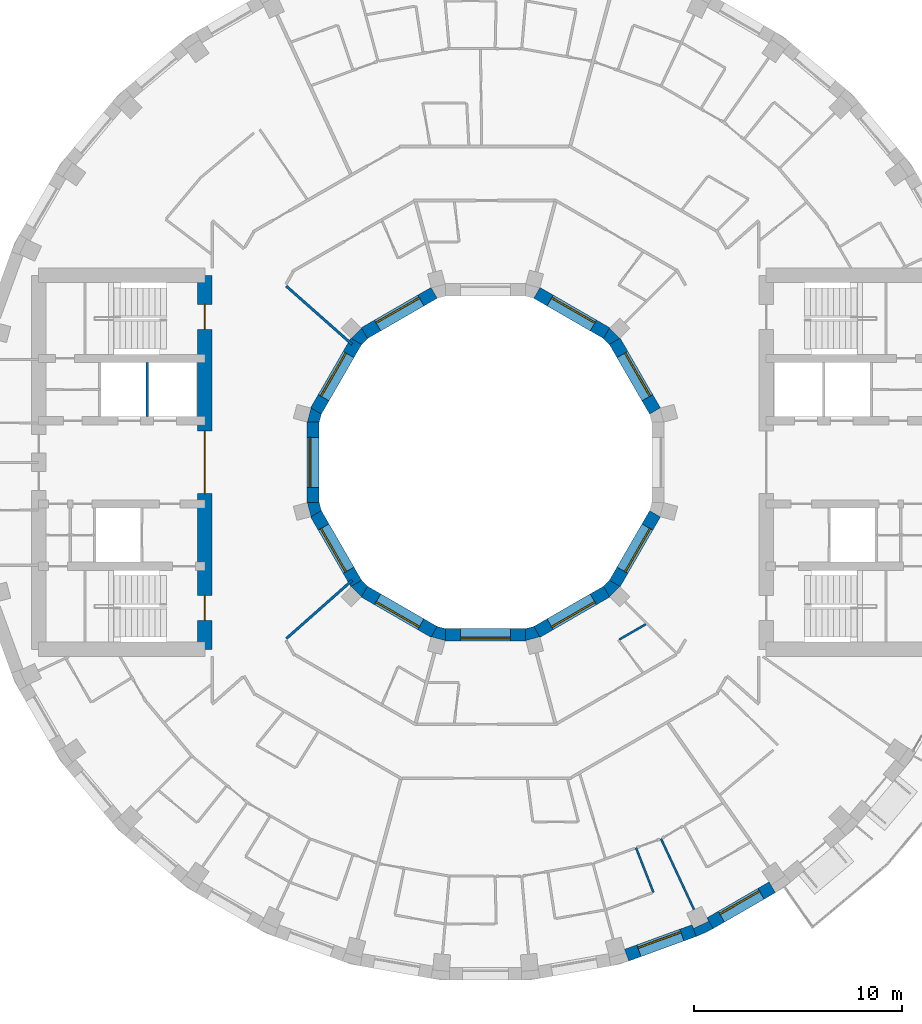
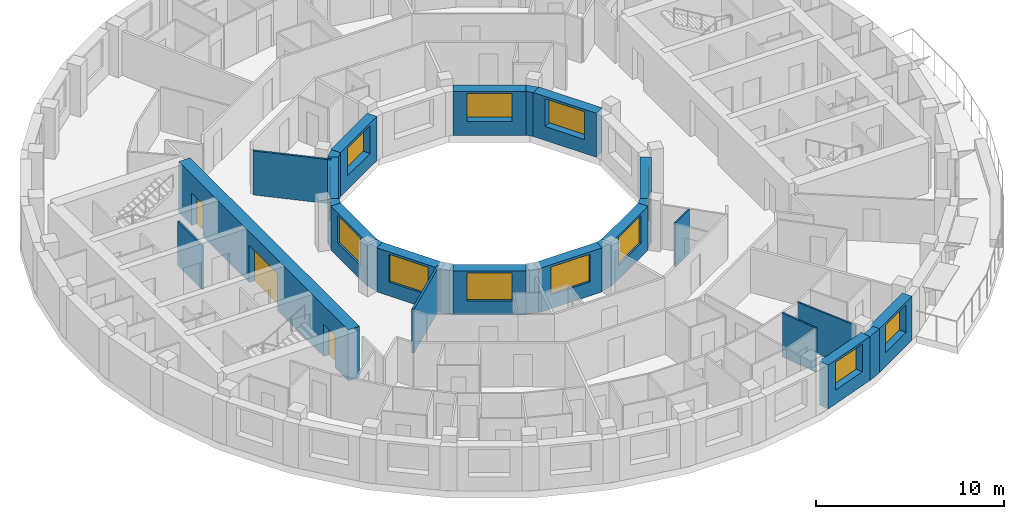
# One storey, part 7 of 14: 28 walls, 12 windows, 3 doors, 15 openings.
"""IFC4 building model written with IfcOpenShell, lengths in metres."""

from ifc_helpers import new_model, si_unit, direction, frame, frame_2d, origin, place, context, subcontext, project, spatial, polyline, rectangle, outline, extrude, material, layer, layer_set, type_object, element, fill, save


model = new_model("IFC4")

# Units and contexts
model_context = context("Model", 3, precision=1e-05, world=origin(), true_north=direction((0.0, 1.0)))
body_context = subcontext(model_context, "Body", "Model", "MODEL_VIEW")
ifc_project = project(units=[si_unit("LENGTHUNIT", "METRE"), si_unit("AREAUNIT", "SQUARE_METRE"), si_unit("VOLUMEUNIT", "CUBIC_METRE"), si_unit("PLANEANGLEUNIT", "RADIAN"), si_unit("MASSUNIT", "GRAM", prefix="KILO")], contexts=[model_context])

# Site, building, storey
site_placement = place(None, origin())
site = spatial("IfcSite", under=ifc_project, at=site_placement, CompositionType="ELEMENT")
building_placement = place(site_placement, origin())
building = spatial("IfcBuilding", under=site, at=building_placement, Name="Saqina Gate Tower", CompositionType="ELEMENT")
storey_placement = place(building_placement, frame((0.0, 0.0, 170.699951171875)))
storey = spatial("IfcBuildingStorey", under=building, at=storey_placement, Name="L48", CompositionType="ELEMENT", Elevation=170.699951171875)

# Wall
ifc_material_1 = material(Name="Brick masonry (buff)", Category="masonry")
wall_type_1 = type_object("IfcWallType", Name="BRICK PIER COPING BUFF", PredefinedType="SOLIDWALL", material=ifc_material_1)
wall_1_placement = place(storey_placement, origin())
element("IfcWall", 1, at=wall_1_placement, inside=storey, type_object=wall_type_1, Name="Pier cap L48 column 30", PredefinedType="SOLIDWALL", context=body_context, shape_type="SweptSolid", body=[
    extrude(outline(polyline([(10.958740234375, -22.4306640625), (10.65869140625, -21.9111328125), (10.73779296875, -22.080810546875), (10.0126953125, -22.4189453125), (9.93359375, -22.249267578125), (10.138916015625, -22.81298828125), (10.958740234375, -22.4306640625)])), origin(), (0.0, 0.0, 1.0), 2.85009765625),
])

# Wall, opening, window
ifc_material_2 = material(Name="Brick masonry (buff)", Category="masonry")
ifc_layer_1 = layer(ifc_material_2, 0.60009765625)
ifc_layer_set_1 = layer_set([ifc_layer_1], Name="FW-BRICK-BUFF")
wall_type_2 = type_object("IfcWallType", Name="FW-BRICK-BUFF", PredefinedType="SOLIDWALL", material=ifc_layer_set_1)
wall_2_placement = place(storey_placement, frame((6.79443359375, -23.7109375, 0.0), z_axis=(0.0, 0.0, 1.0), x_axis=(0.93968799822, 0.342032843455, 0.0)))
wall_2 = element("IfcWall", 2, at=wall_2_placement, inside=storey, type_object=wall_type_2, Name="Facade wall L48 facet 29", PredefinedType="SOLIDWALL", context=body_context, shape_type="SweptSolid", body=[
    extrude(rectangle(XDim=3.44970703125, YDim=0.60009765625, at=frame_2d((1.724853515625, 0.0))), origin(), (0.0, 0.0, 1.0), 2.85009765625),
])
opening_1_placement = place(wall_2_placement, frame((0.625, 0.0, 0.89990234375)))
opening_1 = element("IfcOpeningElement", 3, at=opening_1_placement, cuts=wall_2, Name="Opening G14-W22", PredefinedType="OPENING", context=body_context, shape_type="SweptSolid", body=[
    extrude(rectangle(XDim=2.199951171875, YDim=1.800048828125, at=frame_2d((1.10009765625, 0.89990234375))), frame((0.0, 0.31201171875, 0.0), z_axis=(0.0, -1.0, 0.0), x_axis=(1.0, 0.0, 0.0)), (0.0, 0.0, 1.0), 0.6240234375),
])
ifc_material_3 = material(Name="Aluminium glazing", Category="aluminium")
window_type_1 = type_object("IfcWindowType", Name="WN-C", PartitioningType="SINGLE_PANEL", PredefinedType="WINDOW", material=ifc_material_3)
window_1_placement = place(opening_1_placement, origin())
window_1 = element("IfcWindow", 4, at=window_1_placement, inside=storey, type_object=window_type_1, Name="Window L48 facet 29", OverallHeight=1.800048828125, OverallWidth=2.199951171875, PartitioningType="SINGLE_PANEL", PredefinedType="WINDOW", context=body_context, shape_type="SweptSolid", body=[
    extrude(rectangle(XDim=2.199951171875, YDim=1.800048828125, at=frame_2d((1.10009765625, 0.89990234375))), frame((0.0, 0.179931640625, 0.0), z_axis=(0.0, -1.0, 0.0), x_axis=(1.0, 0.0, 0.0)), (0.0, 0.0, 1.0), 0.06005859375),
])
fill(opening_1, window_1)

wall_3_placement = place(storey_placement, frame((10.80859375, -22.1708984375, 0.0), z_axis=(0.0, 0.0, 1.0), x_axis=(0.86602648383, 0.499998129301, 0.0)))
wall_3 = element("IfcWall", 5, at=wall_3_placement, inside=storey, type_object=wall_type_2, Name="Facade wall L48 facet 30", PredefinedType="SOLIDWALL", context=body_context, shape_type="SweptSolid", body=[
    extrude(rectangle(XDim=3.44970703125, YDim=0.60009765625, at=frame_2d((1.724853515625, 0.0))), origin(), (0.0, 0.0, 1.0), 2.85009765625),
])
opening_2_placement = place(wall_3_placement, frame((0.625, 0.0, 0.89990234375)))
opening_2 = element("IfcOpeningElement", 6, at=opening_2_placement, cuts=wall_3, Name="Opening G14-W23", PredefinedType="OPENING", context=body_context, shape_type="SweptSolid", body=[
    extrude(rectangle(XDim=2.199951171875, YDim=1.800048828125, at=frame_2d((1.10009765625, 0.89990234375))), frame((0.0, 0.31201171875, 0.0), z_axis=(0.0, -1.0, 0.0), x_axis=(1.0, 0.0, 0.0)), (0.0, 0.0, 1.0), 0.6240234375),
])
window_2_placement = place(opening_2_placement, origin())
window_2 = element("IfcWindow", 7, at=window_2_placement, inside=storey, type_object=window_type_1, Name="Window L48 facet 30", OverallHeight=1.800048828125, OverallWidth=2.199951171875, PartitioningType="SINGLE_PANEL", PredefinedType="WINDOW", context=body_context, shape_type="SweptSolid", body=[
    extrude(rectangle(XDim=2.199951171875, YDim=1.800048828125, at=frame_2d((1.10009765625, 0.89990234375))), frame((0.0, 0.179931640625, 0.0), z_axis=(0.0, -1.0, 0.0), x_axis=(1.0, 0.0, 0.0)), (0.0, 0.0, 1.0), 0.06005859375),
])
fill(opening_2, window_2)

ifc_material_4 = material(Name="Glazed ceramic tile", Category="ceramic")
ifc_layer_2 = layer(ifc_material_4, 0.60009765625)
ifc_layer_set_2 = layer_set([ifc_layer_2], Name="IW-TILE")
wall_type_3 = type_object("IfcWallType", Name="IW-TILE", PredefinedType="SOLIDWALL", material=ifc_layer_set_2)
wall_4_placement = place(storey_placement, frame((8.155517578125, 2.474365234375, 0.0), z_axis=(0.0, 0.0, 1.0), x_axis=(-0.500033728941, 0.866005929495, 0.0)))
wall_4 = element("IfcWall", 8, at=wall_4_placement, inside=storey, type_object=wall_type_3, Name="Well wall L48 facet 1", PredefinedType="SOLIDWALL", context=body_context, shape_type="SweptSolid", body=[
    extrude(rectangle(XDim=3.869873046875, YDim=0.60009765625, at=frame_2d((1.93505859375, 0.0))), origin(), (0.0, 0.0, 1.0), 2.85009765625),
])
opening_3_placement = place(wall_4_placement, frame((0.73486328125, 0.0, 0.89990234375)))
opening_3 = element("IfcOpeningElement", 9, at=opening_3_placement, cuts=wall_4, Name="Opening G14-W24", PredefinedType="OPENING", context=body_context, shape_type="SweptSolid", body=[
    extrude(rectangle(XDim=2.39990234375, YDim=1.800048828125, at=frame_2d((1.199951171875, 0.89990234375))), frame((0.0, 0.31201171875, 0.0), z_axis=(0.0, -1.0, 0.0), x_axis=(1.0, 0.0, 0.0)), (0.0, 0.0, 1.0), 0.6240234375),
])
ifc_material_5 = material(Name="Aluminium glazing", Category="aluminium")
window_type_2 = type_object("IfcWindowType", Name="WN-W", PartitioningType="SINGLE_PANEL", PredefinedType="WINDOW", material=ifc_material_5)
window_3_placement = place(opening_3_placement, origin())
window_3 = element("IfcWindow", 10, at=window_3_placement, inside=storey, type_object=window_type_2, Name="Well window L48 facet 1", OverallHeight=1.800048828125, OverallWidth=2.39990234375, PartitioningType="SINGLE_PANEL", PredefinedType="WINDOW", context=body_context, shape_type="SweptSolid", body=[
    extrude(rectangle(XDim=2.39990234375, YDim=1.800048828125, at=frame_2d((1.199951171875, 0.89990234375))), frame((0.0, -0.119873046875, 0.0), z_axis=(0.0, -1.0, 0.0), x_axis=(1.0, 0.0, 0.0)), (0.0, 0.0, 1.0), 0.06005859375),
])
fill(opening_3, window_3)

wall_5_placement = place(storey_placement, frame((5.82568359375, 6.220458984375, 0.0), z_axis=(0.0, 0.0, 1.0), x_axis=(-0.866005929495, 0.500033728941, 0.0)))
wall_5 = element("IfcWall", 11, at=wall_5_placement, inside=storey, type_object=wall_type_3, Name="Well wall L48 facet 2", PredefinedType="SOLIDWALL", context=body_context, shape_type="SweptSolid", body=[
    extrude(rectangle(XDim=3.869873046875, YDim=0.60009765625, at=frame_2d((1.93505859375, 0.0))), origin(), (0.0, 0.0, 1.0), 2.85009765625),
])
opening_4_placement = place(wall_5_placement, frame((0.73486328125, 0.0, 0.89990234375)))
opening_4 = element("IfcOpeningElement", 12, at=opening_4_placement, cuts=wall_5, Name="Opening G14-W25", PredefinedType="OPENING", context=body_context, shape_type="SweptSolid", body=[
    extrude(rectangle(XDim=2.39990234375, YDim=1.800048828125, at=frame_2d((1.199951171875, 0.89990234375))), frame((0.0, 0.31201171875, 0.0), z_axis=(0.0, -1.0, 0.0), x_axis=(1.0, 0.0, 0.0)), (0.0, 0.0, 1.0), 0.6240234375),
])
window_4_placement = place(opening_4_placement, origin())
window_4 = element("IfcWindow", 13, at=window_4_placement, inside=storey, type_object=window_type_2, Name="Well window L48 facet 2", OverallHeight=1.800048828125, OverallWidth=2.39990234375, PartitioningType="SINGLE_PANEL", PredefinedType="WINDOW", context=body_context, shape_type="SweptSolid", body=[
    extrude(rectangle(XDim=2.39990234375, YDim=1.800048828125, at=frame_2d((1.199951171875, 0.89990234375))), frame((0.0, -0.119873046875, 0.0), z_axis=(0.0, -1.0, 0.0), x_axis=(1.0, 0.0, 0.0)), (0.0, 0.0, 1.0), 0.06005859375),
])
fill(opening_4, window_4)

wall_6_placement = place(storey_placement, frame((-2.474365234375, 8.155517578125, 0.0), z_axis=(0.0, 0.0, 1.0), x_axis=(-0.866005929495, -0.500033728941, 0.0)))
wall_6 = element("IfcWall", 14, at=wall_6_placement, inside=storey, type_object=wall_type_3, Name="Well wall L48 facet 4", PredefinedType="SOLIDWALL", context=body_context, shape_type="SweptSolid", body=[
    extrude(rectangle(XDim=3.869873046875, YDim=0.60009765625, at=frame_2d((1.93505859375, 0.0))), origin(), (0.0, 0.0, 1.0), 2.85009765625),
])
opening_5_placement = place(wall_6_placement, frame((0.73486328125, 0.0, 0.89990234375)))
opening_5 = element("IfcOpeningElement", 15, at=opening_5_placement, cuts=wall_6, Name="Opening G14-W27", PredefinedType="OPENING", context=body_context, shape_type="SweptSolid", body=[
    extrude(rectangle(XDim=2.39990234375, YDim=1.800048828125, at=frame_2d((1.199951171875, 0.89990234375))), frame((0.0, 0.31201171875, 0.0), z_axis=(0.0, -1.0, 0.0), x_axis=(1.0, 0.0, 0.0)), (0.0, 0.0, 1.0), 0.6240234375),
])
window_5_placement = place(opening_5_placement, origin())
window_5 = element("IfcWindow", 16, at=window_5_placement, inside=storey, type_object=window_type_2, Name="Well window L48 facet 4", OverallHeight=1.800048828125, OverallWidth=2.39990234375, PartitioningType="SINGLE_PANEL", PredefinedType="WINDOW", context=body_context, shape_type="SweptSolid", body=[
    extrude(rectangle(XDim=2.39990234375, YDim=1.800048828125, at=frame_2d((1.199951171875, 0.89990234375))), frame((0.0, -0.119873046875, 0.0), z_axis=(0.0, -1.0, 0.0), x_axis=(1.0, 0.0, 0.0)), (0.0, 0.0, 1.0), 0.06005859375),
])
fill(opening_5, window_5)

wall_7_placement = place(storey_placement, frame((-6.220458984375, 5.82568359375, 0.0), z_axis=(0.0, 0.0, 1.0), x_axis=(-0.500033728941, -0.866005929495, 0.0)))
wall_7 = element("IfcWall", 17, at=wall_7_placement, inside=storey, type_object=wall_type_3, Name="Well wall L48 facet 5", PredefinedType="SOLIDWALL", context=body_context, shape_type="SweptSolid", body=[
    extrude(rectangle(XDim=3.869873046875, YDim=0.60009765625, at=frame_2d((1.93505859375, 0.0))), origin(), (0.0, 0.0, 1.0), 2.85009765625),
])
opening_6_placement = place(wall_7_placement, frame((0.73486328125, 0.0, 0.89990234375)))
opening_6 = element("IfcOpeningElement", 18, at=opening_6_placement, cuts=wall_7, Name="Opening G14-W28", PredefinedType="OPENING", context=body_context, shape_type="SweptSolid", body=[
    extrude(rectangle(XDim=2.39990234375, YDim=1.800048828125, at=frame_2d((1.199951171875, 0.89990234375))), frame((0.0, 0.31201171875, 0.0), z_axis=(0.0, -1.0, 0.0), x_axis=(1.0, 0.0, 0.0)), (0.0, 0.0, 1.0), 0.6240234375),
])
window_6_placement = place(opening_6_placement, origin())
window_6 = element("IfcWindow", 19, at=window_6_placement, inside=storey, type_object=window_type_2, Name="Well window L48 facet 5", OverallHeight=1.800048828125, OverallWidth=2.39990234375, PartitioningType="SINGLE_PANEL", PredefinedType="WINDOW", context=body_context, shape_type="SweptSolid", body=[
    extrude(rectangle(XDim=2.39990234375, YDim=1.800048828125, at=frame_2d((1.199951171875, 0.89990234375))), frame((0.0, -0.119873046875, 0.0), z_axis=(0.0, -1.0, 0.0), x_axis=(1.0, 0.0, 0.0)), (0.0, 0.0, 1.0), 0.06005859375),
])
fill(opening_6, window_6)

wall_8_placement = place(storey_placement, frame((-8.300048828125, 1.934814453125, 0.0), z_axis=(0.0, 0.0, 1.0), x_axis=(0.0, -1.0, 0.0)))
wall_8 = element("IfcWall", 20, at=wall_8_placement, inside=storey, type_object=wall_type_3, Name="Well wall L48 facet 6", PredefinedType="SOLIDWALL", context=body_context, shape_type="SweptSolid", body=[
    extrude(rectangle(XDim=3.86962890625, YDim=0.60009765625, at=frame_2d((1.934814453125, 0.0))), origin(), (0.0, 0.0, 1.0), 2.85009765625),
])
opening_7_placement = place(wall_8_placement, frame((0.73486328125, 0.0, 0.89990234375)))
opening_7 = element("IfcOpeningElement", 21, at=opening_7_placement, cuts=wall_8, Name="Opening G14-W29", PredefinedType="OPENING", context=body_context, shape_type="SweptSolid", body=[
    extrude(rectangle(XDim=2.39990234375, YDim=1.800048828125, at=frame_2d((1.199951171875, 0.89990234375))), frame((0.0, 0.31201171875, 0.0), z_axis=(0.0, -1.0, 0.0), x_axis=(1.0, 0.0, 0.0)), (0.0, 0.0, 1.0), 0.6240234375),
])
window_7_placement = place(opening_7_placement, origin())
window_7 = element("IfcWindow", 22, at=window_7_placement, inside=storey, type_object=window_type_2, Name="Well window L48 facet 6", OverallHeight=1.800048828125, OverallWidth=2.39990234375, PartitioningType="SINGLE_PANEL", PredefinedType="WINDOW", context=body_context, shape_type="SweptSolid", body=[
    extrude(rectangle(XDim=2.39990234375, YDim=1.800048828125, at=frame_2d((1.199951171875, 0.89990234375))), frame((0.0, -0.119873046875, 0.0), z_axis=(0.0, -1.0, 0.0), x_axis=(1.0, 0.0, 0.0)), (0.0, 0.0, 1.0), 0.06005859375),
])
fill(opening_7, window_7)

wall_9_placement = place(storey_placement, frame((-8.155517578125, -2.474365234375, 0.0), z_axis=(0.0, 0.0, 1.0), x_axis=(0.500033728941, -0.866005929495, 0.0)))
wall_9 = element("IfcWall", 23, at=wall_9_placement, inside=storey, type_object=wall_type_3, Name="Well wall L48 facet 7", PredefinedType="SOLIDWALL", context=body_context, shape_type="SweptSolid", body=[
    extrude(rectangle(XDim=3.869873046875, YDim=0.60009765625, at=frame_2d((1.93505859375, 0.0))), origin(), (0.0, 0.0, 1.0), 2.85009765625),
])
opening_8_placement = place(wall_9_placement, frame((0.73486328125, 0.0, 0.89990234375)))
opening_8 = element("IfcOpeningElement", 24, at=opening_8_placement, cuts=wall_9, Name="Opening G14-W30", PredefinedType="OPENING", context=body_context, shape_type="SweptSolid", body=[
    extrude(rectangle(XDim=2.39990234375, YDim=1.800048828125, at=frame_2d((1.199951171875, 0.89990234375))), frame((0.0, 0.31201171875, 0.0), z_axis=(0.0, -1.0, 0.0), x_axis=(1.0, 0.0, 0.0)), (0.0, 0.0, 1.0), 0.6240234375),
])
window_8_placement = place(opening_8_placement, origin())
window_8 = element("IfcWindow", 25, at=window_8_placement, inside=storey, type_object=window_type_2, Name="Well window L48 facet 7", OverallHeight=1.800048828125, OverallWidth=2.39990234375, PartitioningType="SINGLE_PANEL", PredefinedType="WINDOW", context=body_context, shape_type="SweptSolid", body=[
    extrude(rectangle(XDim=2.39990234375, YDim=1.800048828125, at=frame_2d((1.199951171875, 0.89990234375))), frame((0.0, -0.119873046875, 0.0), z_axis=(0.0, -1.0, 0.0), x_axis=(1.0, 0.0, 0.0)), (0.0, 0.0, 1.0), 0.06005859375),
])
fill(opening_8, window_8)

wall_10_placement = place(storey_placement, frame((-5.82568359375, -6.220458984375, 0.0), z_axis=(0.0, 0.0, 1.0), x_axis=(0.866005929495, -0.500033728941, 0.0)))
wall_10 = element("IfcWall", 26, at=wall_10_placement, inside=storey, type_object=wall_type_3, Name="Well wall L48 facet 8", PredefinedType="SOLIDWALL", context=body_context, shape_type="SweptSolid", body=[
    extrude(rectangle(XDim=3.869873046875, YDim=0.60009765625, at=frame_2d((1.93505859375, 0.0))), origin(), (0.0, 0.0, 1.0), 2.85009765625),
])
opening_9_placement = place(wall_10_placement, frame((0.73486328125, 0.0, 0.89990234375)))
opening_9 = element("IfcOpeningElement", 27, at=opening_9_placement, cuts=wall_10, Name="Opening G14-W31", PredefinedType="OPENING", context=body_context, shape_type="SweptSolid", body=[
    extrude(rectangle(XDim=2.39990234375, YDim=1.800048828125, at=frame_2d((1.199951171875, 0.89990234375))), frame((0.0, 0.31201171875, 0.0), z_axis=(0.0, -1.0, 0.0), x_axis=(1.0, 0.0, 0.0)), (0.0, 0.0, 1.0), 0.6240234375),
])
window_9_placement = place(opening_9_placement, origin())
window_9 = element("IfcWindow", 28, at=window_9_placement, inside=storey, type_object=window_type_2, Name="Well window L48 facet 8", OverallHeight=1.800048828125, OverallWidth=2.39990234375, PartitioningType="SINGLE_PANEL", PredefinedType="WINDOW", context=body_context, shape_type="SweptSolid", body=[
    extrude(rectangle(XDim=2.39990234375, YDim=1.800048828125, at=frame_2d((1.199951171875, 0.89990234375))), frame((0.0, -0.119873046875, 0.0), z_axis=(0.0, -1.0, 0.0), x_axis=(1.0, 0.0, 0.0)), (0.0, 0.0, 1.0), 0.06005859375),
])
fill(opening_9, window_9)

wall_11_placement = place(storey_placement, frame((-1.934814453125, -8.300048828125, 0.0), z_axis=(0.0, 0.0, 1.0), x_axis=(1.0, 0.0, 0.0)))
wall_11 = element("IfcWall", 29, at=wall_11_placement, inside=storey, type_object=wall_type_3, Name="Well wall L48 facet 9", PredefinedType="SOLIDWALL", context=body_context, shape_type="SweptSolid", body=[
    extrude(rectangle(XDim=3.86962890625, YDim=0.60009765625, at=frame_2d((1.934814453125, 0.0))), origin(), (0.0, 0.0, 1.0), 2.85009765625),
])
opening_10_placement = place(wall_11_placement, frame((0.73486328125, 0.0, 0.89990234375)))
opening_10 = element("IfcOpeningElement", 30, at=opening_10_placement, cuts=wall_11, Name="Opening G14-W32", PredefinedType="OPENING", context=body_context, shape_type="SweptSolid", body=[
    extrude(rectangle(XDim=2.39990234375, YDim=1.800048828125, at=frame_2d((1.199951171875, 0.89990234375))), frame((0.0, 0.31201171875, 0.0), z_axis=(0.0, -1.0, 0.0), x_axis=(1.0, 0.0, 0.0)), (0.0, 0.0, 1.0), 0.6240234375),
])
window_10_placement = place(opening_10_placement, origin())
window_10 = element("IfcWindow", 31, at=window_10_placement, inside=storey, type_object=window_type_2, Name="Well window L48 facet 9", OverallHeight=1.800048828125, OverallWidth=2.39990234375, PartitioningType="SINGLE_PANEL", PredefinedType="WINDOW", context=body_context, shape_type="SweptSolid", body=[
    extrude(rectangle(XDim=2.39990234375, YDim=1.800048828125, at=frame_2d((1.199951171875, 0.89990234375))), frame((0.0, -0.119873046875, 0.0), z_axis=(0.0, -1.0, 0.0), x_axis=(1.0, 0.0, 0.0)), (0.0, 0.0, 1.0), 0.06005859375),
])
fill(opening_10, window_10)

wall_12_placement = place(storey_placement, frame((2.474365234375, -8.155517578125, 0.0), z_axis=(0.0, 0.0, 1.0), x_axis=(0.866005929495, 0.500033728941, 0.0)))
wall_12 = element("IfcWall", 32, at=wall_12_placement, inside=storey, type_object=wall_type_3, Name="Well wall L48 facet 10", PredefinedType="SOLIDWALL", context=body_context, shape_type="SweptSolid", body=[
    extrude(rectangle(XDim=3.869873046875, YDim=0.60009765625, at=frame_2d((1.93505859375, 0.0))), origin(), (0.0, 0.0, 1.0), 2.85009765625),
])
opening_11_placement = place(wall_12_placement, frame((0.73486328125, 0.0, 0.89990234375)))
opening_11 = element("IfcOpeningElement", 33, at=opening_11_placement, cuts=wall_12, Name="Opening G14-W33", PredefinedType="OPENING", context=body_context, shape_type="SweptSolid", body=[
    extrude(rectangle(XDim=2.39990234375, YDim=1.800048828125, at=frame_2d((1.199951171875, 0.89990234375))), frame((0.0, 0.31201171875, 0.0), z_axis=(0.0, -1.0, 0.0), x_axis=(1.0, 0.0, 0.0)), (0.0, 0.0, 1.0), 0.6240234375),
])
window_11_placement = place(opening_11_placement, origin())
window_11 = element("IfcWindow", 34, at=window_11_placement, inside=storey, type_object=window_type_2, Name="Well window L48 facet 10", OverallHeight=1.800048828125, OverallWidth=2.39990234375, PartitioningType="SINGLE_PANEL", PredefinedType="WINDOW", context=body_context, shape_type="SweptSolid", body=[
    extrude(rectangle(XDim=2.39990234375, YDim=1.800048828125, at=frame_2d((1.199951171875, 0.89990234375))), frame((0.0, -0.119873046875, 0.0), z_axis=(0.0, -1.0, 0.0), x_axis=(1.0, 0.0, 0.0)), (0.0, 0.0, 1.0), 0.06005859375),
])
fill(opening_11, window_11)

wall_13_placement = place(storey_placement, frame((6.220458984375, -5.82568359375, 0.0), z_axis=(0.0, 0.0, 1.0), x_axis=(0.500033728941, 0.866005929495, 0.0)))
wall_13 = element("IfcWall", 35, at=wall_13_placement, inside=storey, type_object=wall_type_3, Name="Well wall L48 facet 11", PredefinedType="SOLIDWALL", context=body_context, shape_type="SweptSolid", body=[
    extrude(rectangle(XDim=3.869873046875, YDim=0.60009765625, at=frame_2d((1.93505859375, 0.0))), origin(), (0.0, 0.0, 1.0), 2.85009765625),
])
opening_12_placement = place(wall_13_placement, frame((0.73486328125, 0.0, 0.89990234375)))
opening_12 = element("IfcOpeningElement", 36, at=opening_12_placement, cuts=wall_13, Name="Opening G14-W34", PredefinedType="OPENING", context=body_context, shape_type="SweptSolid", body=[
    extrude(rectangle(XDim=2.39990234375, YDim=1.800048828125, at=frame_2d((1.199951171875, 0.89990234375))), frame((0.0, 0.31201171875, 0.0), z_axis=(0.0, -1.0, 0.0), x_axis=(1.0, 0.0, 0.0)), (0.0, 0.0, 1.0), 0.6240234375),
])
window_12_placement = place(opening_12_placement, origin())
window_12 = element("IfcWindow", 37, at=window_12_placement, inside=storey, type_object=window_type_2, Name="Well window L48 facet 11", OverallHeight=1.800048828125, OverallWidth=2.39990234375, PartitioningType="SINGLE_PANEL", PredefinedType="WINDOW", context=body_context, shape_type="SweptSolid", body=[
    extrude(rectangle(XDim=2.39990234375, YDim=1.800048828125, at=frame_2d((1.199951171875, 0.89990234375))), frame((0.0, -0.119873046875, 0.0), z_axis=(0.0, -1.0, 0.0), x_axis=(1.0, 0.0, 0.0)), (0.0, 0.0, 1.0), 0.06005859375),
])
fill(opening_12, window_12)

# Walls
ifc_material_6 = material(Name="Gypsum board on steel studs, 100 mm", Category="steel")
ifc_layer_3 = layer(ifc_material_6, 0.10009765625)
ifc_layer_set_3 = layer_set([ifc_layer_3], Name="PARTITION 100")
wall_type_4 = type_object("IfcWallType", Name="PARTITION 100", PredefinedType="PARTITIONING", material=ifc_layer_set_3)
wall_14_placement = place(storey_placement, frame((7.242919921875, -18.5458984375, 0.0), z_axis=(0.0, 0.0, 1.0), x_axis=(0.363859158163, -0.93145397794, 0.0)))
element("IfcWall", 38, at=wall_14_placement, inside=storey, type_object=wall_type_4, Name="PARTITION PW3-16", PredefinedType="PARTITIONING", context=body_context, shape_type="SweptSolid", body=[
    extrude(rectangle(XDim=2.30078125, YDim=0.10009765625, at=frame_2d((1.150390625, 0.0))), origin(), (0.0, 0.0, 1.0), 2.85009765625),
])
wall_15_placement = place(storey_placement, frame((8.444091796875, -18.10888671875, 0.0), z_axis=(0.0, 0.0, 1.0), x_axis=(0.422654355883, -0.906290955186, 0.0)))
element("IfcWall", 39, at=wall_15_placement, inside=storey, type_object=wall_type_4, Name="PARTITION PW3-18", PredefinedType="PARTITIONING", context=body_context, shape_type="SweptSolid", body=[
    extrude(rectangle(XDim=3.75927734375, YDim=0.10009765625, at=frame_2d((1.879638671875, 0.0))), origin(), (0.0, 0.0, 1.0), 2.85009765625),
])
wall_16_placement = place(storey_placement, frame((6.4404296875, -8.52099609375, 0.0), z_axis=(0.0, 0.0, 1.0), x_axis=(0.866268331141, 0.499579001222, 0.0)))
element("IfcWall", 40, at=wall_16_placement, inside=storey, type_object=wall_type_4, Name="PARTITION PW3-70", PredefinedType="PARTITIONING", context=body_context, shape_type="SweptSolid", body=[
    extrude(rectangle(XDim=1.473388671875, YDim=0.10009765625, at=frame_2d((0.73681640625, 0.0))), origin(), (0.0, 0.0, 1.0), 2.85009765625),
])
ifc_material_7 = material(Name="Gypsum board on steel studs, 125 mm, fire rated", Category="steel")
ifc_layer_4 = layer(ifc_material_7, 0.125)
ifc_layer_set_4 = layer_set([ifc_layer_4], Name="PARTITION EI 30 125")
wall_type_5 = type_object("IfcWallType", Name="PARTITION EI 30 125", PredefinedType="PARTITIONING", material=ifc_layer_set_4)
for number, where, z_axis, x_axis, name in (
    (41, (-9.5849609375, 8.47998046875, 0.0), (0.0, 0.0, 1.0), (0.748972302021, -0.662601306069, 0.0), "PARTITION PW1-11"),
    (42, (-9.5849609375, -8.47998046875, 0.0), (0.0, 0.0, 1.0), (0.748972302021, 0.662601306069, 0.0), "PARTITION PW1-43"),
):
    element("IfcWall", number, at=place(storey_placement, frame(where, z_axis=z_axis, x_axis=x_axis)), inside=storey, type_object=wall_type_5, Name=name, PredefinedType="PARTITIONING", context=body_context, shape_type="SweptSolid", body=[
        extrude(rectangle(XDim=4.225830078125, YDim=0.125, at=frame_2d((2.11279296875, 0.0))), origin(), (0.0, 0.0, 1.0), 2.85009765625),
    ])
ifc_material_8 = material(Name="Autoclaved aerated concrete block", Category="concrete")
ifc_layer_5 = layer(ifc_material_8, 0.1201171875)
ifc_layer_set_5 = layer_set([ifc_layer_5], Name="SHAFT PARTITION")
wall_type_6 = type_object("IfcWallType", Name="SHAFT PARTITION", PredefinedType="PARTITIONING", material=ifc_layer_set_5)
wall_17_placement = place(storey_placement, frame((-16.280029296875, 2.199951171875, 0.0), z_axis=(0.0, 0.0, 1.0), x_axis=(0.0, 1.0, 0.0)))
element("IfcWall", 43, at=wall_17_placement, inside=storey, type_object=wall_type_6, Name="L48-CP-W06", PredefinedType="PARTITIONING", context=body_context, shape_type="SweptSolid", body=[
    extrude(rectangle(XDim=2.60009765625, YDim=0.1201171875, at=frame_2d((1.300048828125, 0.0))), origin(), (0.0, 0.0, 1.0), 2.85009765625),
])

# Wall, openings, doors
ifc_material_9 = material(Name="Concrete C60/75", Category="concrete")
ifc_layer_6 = layer(ifc_material_9, 0.699951171875)
ifc_layer_set_6 = layer_set([ifc_layer_6], Name="Concrete C60/75")
wall_type_7 = type_object("IfcWallType", Name="STR-CORE WALL-C-O", PredefinedType="SHEAR", material=ifc_layer_set_6)
wall_18_placement = place(storey_placement, frame((-13.5, -9.0, 0.0), z_axis=(0.0, 0.0, 1.0), x_axis=(0.0, 1.0, 0.0)))
wall_18 = element("IfcWall", 44, at=wall_18_placement, inside=storey, type_object=wall_type_7, Name="CORE WALL L48 W-W1", PredefinedType="SHEAR", context=body_context, shape_type="SweptSolid", body=[
    extrude(rectangle(XDim=18.0, YDim=0.699951171875, at=frame_2d((9.0, 0.0))), origin(), (0.0, 0.0, 1.0), 3.300048828125),
])
opening_13_placement = place(wall_18_placement, frame((15.39990234375, 0.0, 0.0)))
opening_13 = element("IfcOpeningElement", 45, at=opening_13_placement, cuts=wall_18, Name="Opening G14-D121", PredefinedType="OPENING", context=body_context, shape_type="SweptSolid", body=[
    extrude(rectangle(XDim=1.199951171875, YDim=2.10009765625, at=frame_2d((0.60009765625, 1.050048828125))), frame((0.0, 0.362060546875, 0.0), z_axis=(0.0, -1.0, 0.0), x_axis=(1.0, 0.0, 0.0)), (0.0, 0.0, 1.0), 0.723876953125),
])
opening_14_placement = place(wall_18_placement, frame((1.39990234375, 0.0, 0.0)))
opening_14 = element("IfcOpeningElement", 46, at=opening_14_placement, cuts=wall_18, Name="Opening G14-D122", PredefinedType="OPENING", context=body_context, shape_type="SweptSolid", body=[
    extrude(rectangle(XDim=1.199951171875, YDim=2.10009765625, at=frame_2d((0.60009765625, 1.050048828125))), frame((0.0, 0.362060546875, 0.0), z_axis=(0.0, -1.0, 0.0), x_axis=(1.0, 0.0, 0.0)), (0.0, 0.0, 1.0), 0.723876953125),
])
opening_15_placement = place(wall_18_placement, frame((7.5, 0.0, 0.0)))
opening_15 = element("IfcOpeningElement", 47, at=opening_15_placement, cuts=wall_18, Name="Opening G14-D123", PredefinedType="OPENING", context=body_context, shape_type="SweptSolid", body=[
    extrude(rectangle(XDim=3.0, YDim=2.39990234375, at=frame_2d((1.5, 1.199951171875))), frame((0.0, 0.362060546875, 0.0), z_axis=(0.0, -1.0, 0.0), x_axis=(1.0, 0.0, 0.0)), (0.0, 0.0, 1.0), 0.723876953125),
])
ifc_material_10 = material(Name="Steel", Category="steel")
door_type_1 = type_object("IfcDoorType", Name="FIRE DOOR EI 60", OperationType="SINGLE_SWING_LEFT", PredefinedType="DOOR", material=ifc_material_10)
door_1_placement = place(opening_13_placement, origin())
door_1 = element("IfcDoor", 48, at=door_1_placement, inside=storey, type_object=door_type_1, Name="L48-CD-W32", OperationType="SINGLE_SWING_RIGHT", OverallHeight=2.10009765625, OverallWidth=1.199951171875, PredefinedType="DOOR", context=body_context, shape_type="SweptSolid", body=[
    extrude(rectangle(XDim=1.199951171875, YDim=2.10009765625, at=frame_2d((0.60009765625, 1.050048828125))), frame((0.0, 0.02490234375, 0.0), z_axis=(0.0, -1.0, 0.0), x_axis=(1.0, 0.0, 0.0)), (0.0, 0.0, 1.0), 0.050048828125),
])
fill(opening_13, door_1)
door_2_placement = place(opening_14_placement, origin())
door_2 = element("IfcDoor", 49, at=door_2_placement, inside=storey, type_object=door_type_1, Name="L48-CD-W33", OperationType="SINGLE_SWING_LEFT", OverallHeight=2.10009765625, OverallWidth=1.199951171875, PredefinedType="DOOR", context=body_context, shape_type="SweptSolid", body=[
    extrude(rectangle(XDim=1.199951171875, YDim=2.10009765625, at=frame_2d((0.60009765625, 1.050048828125))), frame((0.0, 0.02490234375, 0.0), z_axis=(0.0, -1.0, 0.0), x_axis=(1.0, 0.0, 0.0)), (0.0, 0.0, 1.0), 0.050048828125),
])
fill(opening_14, door_2)
ifc_material_11 = material(Name="Steel and fire-resisting glass", Category="steel")
door_type_2 = type_object("IfcDoorType", Name="LOBBY SCREEN DOOR", OperationType="DOUBLE_DOOR_SLIDING", PredefinedType="DOOR", material=ifc_material_11)
door_3_placement = place(opening_15_placement, origin())
door_3 = element("IfcDoor", 50, at=door_3_placement, inside=storey, type_object=door_type_2, Name="L48-CD-W34", OperationType="DOUBLE_DOOR_SLIDING", OverallHeight=2.39990234375, OverallWidth=3.0, PredefinedType="DOOR", context=body_context, shape_type="SweptSolid", body=[
    extrude(rectangle(XDim=3.0, YDim=2.39990234375, at=frame_2d((1.5, 1.199951171875))), frame((0.0, 0.02490234375, 0.0), z_axis=(0.0, -1.0, 0.0), x_axis=(1.0, 0.0, 0.0)), (0.0, 0.0, 1.0), 0.050048828125),
])
fill(opening_15, door_3)

# Walls
ifc_material_12 = material(Name="Glazed ceramic tile", Category="ceramic")
wall_type_8 = type_object("IfcWallType", Name="TILE PIER COPING", PredefinedType="SOLIDWALL", material=ifc_material_12)
wall_19_placement = place(storey_placement, origin())
element("IfcWall", 51, at=wall_19_placement, inside=storey, type_object=wall_type_8, Name="Well pier cap L48 column 2", PredefinedType="SOLIDWALL", context=body_context, shape_type="SweptSolid", body=[
    extrude(outline(polyline([(5.96240234375, 6.45751953125), (5.67578125, 5.960693359375), (5.960693359375, 5.67578125), (6.45751953125, 5.96240234375), (5.96240234375, 6.45751953125)])), origin(), (0.0, 0.0, 1.0), 2.85009765625),
])
wall_20_placement = place(storey_placement, origin())
element("IfcWall", 52, at=wall_20_placement, inside=storey, type_object=wall_type_8, Name="Well pier cap L48 column 5", PredefinedType="SOLIDWALL", context=body_context, shape_type="SweptSolid", body=[
    extrude(outline(polyline([(-6.45751953125, 5.96240234375), (-5.960693359375, 5.67578125), (-5.67578125, 5.960693359375), (-5.96240234375, 6.45751953125), (-6.45751953125, 5.96240234375)])), origin(), (0.0, 0.0, 1.0), 2.85009765625),
])
wall_21_placement = place(storey_placement, origin())
element("IfcWall", 53, at=wall_21_placement, inside=storey, type_object=wall_type_8, Name="Well pier cap L48 column 6", PredefinedType="SOLIDWALL", context=body_context, shape_type="SweptSolid", body=[
    extrude(outline(polyline([(-8.573486328125, 1.934814453125), (-8.0, 1.934814453125), (-7.895751953125, 2.32421875), (-8.392333984375, 2.611083984375), (-8.573486328125, 1.934814453125)])), origin(), (0.0, 0.0, 1.0), 2.85009765625),
])
wall_22_placement = place(storey_placement, origin())
element("IfcWall", 54, at=wall_22_placement, inside=storey, type_object=wall_type_8, Name="Well pier cap L48 column 7", PredefinedType="SOLIDWALL", context=body_context, shape_type="SweptSolid", body=[
    extrude(outline(polyline([(-8.0, -1.934814453125), (-8.573486328125, -1.934814453125), (-8.392333984375, -2.611083984375), (-7.895751953125, -2.32421875), (-8.0, -1.934814453125)])), origin(), (0.0, 0.0, 1.0), 2.85009765625),
])
wall_23_placement = place(storey_placement, origin())
element("IfcWall", 55, at=wall_23_placement, inside=storey, type_object=wall_type_8, Name="Well pier cap L48 column 8", PredefinedType="SOLIDWALL", context=body_context, shape_type="SweptSolid", body=[
    extrude(outline(polyline([(-6.45751953125, -5.96240234375), (-5.96240234375, -6.45751953125), (-5.67578125, -5.960693359375), (-5.960693359375, -5.67578125), (-6.45751953125, -5.96240234375)])), origin(), (0.0, 0.0, 1.0), 2.85009765625),
])
wall_24_placement = place(storey_placement, origin())
element("IfcWall", 56, at=wall_24_placement, inside=storey, type_object=wall_type_8, Name="Well pier cap L48 column 9", PredefinedType="SOLIDWALL", context=body_context, shape_type="SweptSolid", body=[
    extrude(outline(polyline([(-1.934814453125, -8.573486328125), (-1.934814453125, -8.0), (-2.32421875, -7.895751953125), (-2.611083984375, -8.392333984375), (-1.934814453125, -8.573486328125)])), origin(), (0.0, 0.0, 1.0), 2.85009765625),
])
wall_25_placement = place(storey_placement, origin())
element("IfcWall", 57, at=wall_25_placement, inside=storey, type_object=wall_type_8, Name="Well pier cap L48 column 10", PredefinedType="SOLIDWALL", context=body_context, shape_type="SweptSolid", body=[
    extrude(outline(polyline([(2.611083984375, -8.392333984375), (2.32421875, -7.895751953125), (1.934814453125, -8.0), (1.934814453125, -8.573486328125), (2.611083984375, -8.392333984375)])), origin(), (0.0, 0.0, 1.0), 2.85009765625),
])
wall_26_placement = place(storey_placement, origin())
element("IfcWall", 58, at=wall_26_placement, inside=storey, type_object=wall_type_8, Name="Well pier cap L48 column 11", PredefinedType="SOLIDWALL", context=body_context, shape_type="SweptSolid", body=[
    extrude(outline(polyline([(5.96240234375, -6.45751953125), (6.45751953125, -5.96240234375), (5.960693359375, -5.67578125), (5.67578125, -5.960693359375), (5.96240234375, -6.45751953125)])), origin(), (0.0, 0.0, 1.0), 2.85009765625),
])

save(model, "model.ifc")
